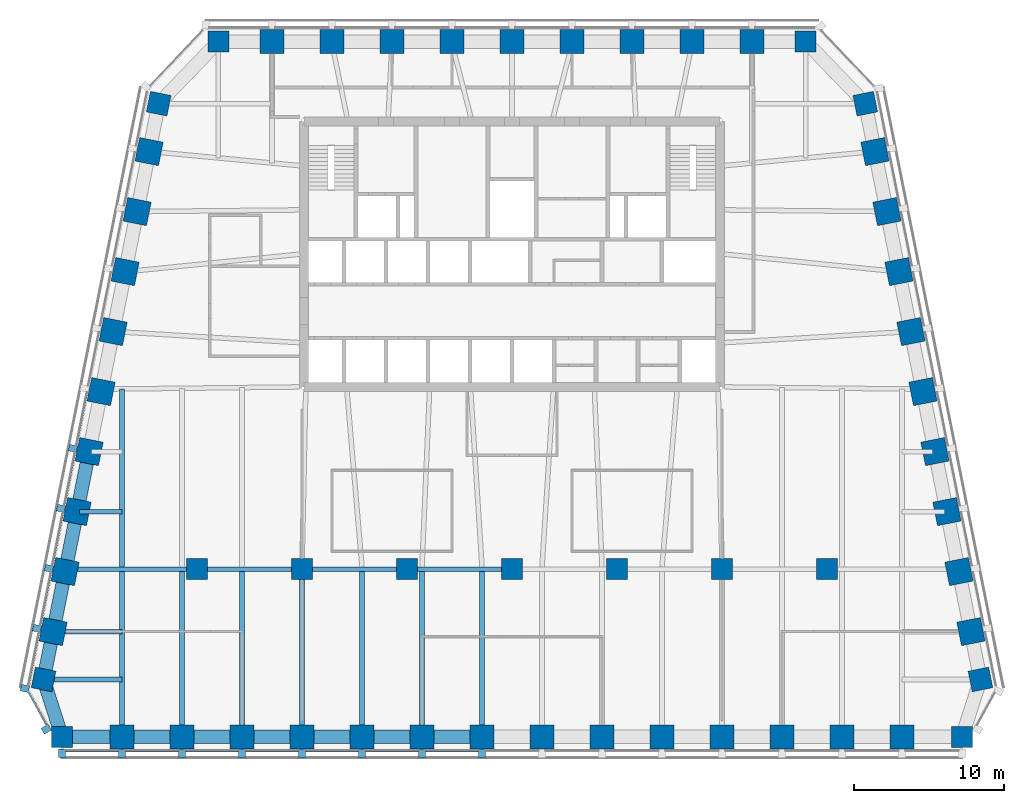
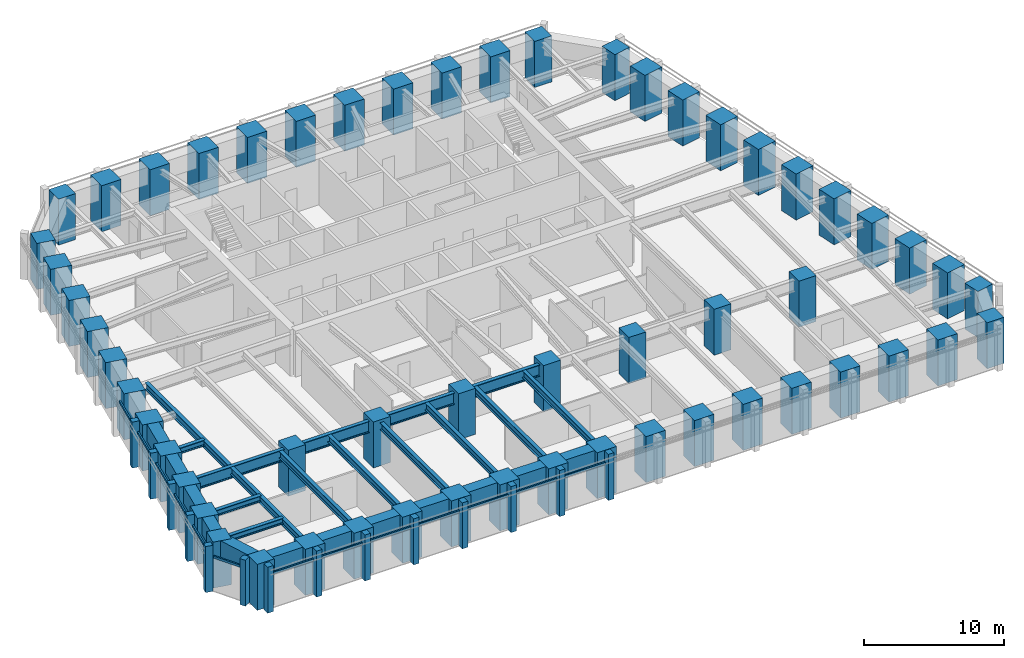
# One storey, part 1 of 10: 56 columns, 27 beams, 27 members, 3 elements without a shape of their own.
"""IFC4 building model written with IfcOpenShell, lengths in metres."""

from ifc_helpers import new_model, si_unit, direction, frame, origin, origin_2d, place, context, subcontext, project, spatial, rectangle, i_section, extrude, material, material_profile, profile_set, type_object, element, aggregate, save


model = new_model("IFC4")

# Units and contexts
model_context = context("Model", 3, precision=1e-05, world=origin(), true_north=direction((0.0, 1.0)))
body_context = subcontext(model_context, "Body", "Model", "MODEL_VIEW")
ifc_project = project(units=[si_unit("LENGTHUNIT", "METRE"), si_unit("AREAUNIT", "SQUARE_METRE"), si_unit("VOLUMEUNIT", "CUBIC_METRE"), si_unit("PLANEANGLEUNIT", "RADIAN"), si_unit("MASSUNIT", "GRAM", prefix="KILO")], contexts=[model_context])

# Site, building, storey
site_placement = place(None, origin())
site = spatial("IfcSite", under=ifc_project, at=site_placement, CompositionType="ELEMENT")
building_placement = place(site_placement, origin())
building = spatial("IfcBuilding", under=site, at=building_placement, Name="Isbrekke Arena Tower", CompositionType="ELEMENT")
storey_placement = place(building_placement, frame((0.0, 0.0, 238.0)))
storey = spatial("IfcBuildingStorey", under=building, at=storey_placement, Name="L55", CompositionType="ELEMENT", Elevation=238.0)

# Columns
ifc_material_1 = material(Name="Concrete B65 (C65/80)", Category="concrete")
ifc_material_profile_1 = material_profile(ifc_material_1, rectangle(XDim=1.39990234375, YDim=1.39990234375, at=origin_2d()), Name="RC 1400x1400")
ifc_profile_set_1 = profile_set([ifc_material_profile_1], Name="Concrete B65 (C65/80)")
column_type_1 = type_object("IfcColumnType", Name="C13 RC 1400 x 1400", PredefinedType="COLUMN", material=ifc_profile_set_1)
for number, where, z_axis, x_axis, name in (
    (1, (-21.0, -6.0, 0.0), (0.0, 0.0, 1.0), (1.0, 0.0, 0.0), "C13 I01"),
    (2, (-14.0, -6.0, 0.0), (0.0, 0.0, 1.0), (1.0, 0.0, 0.0), "C13 I02"),
    (3, (-7.0, -6.0, 0.0), (0.0, 0.0, 1.0), (1.0, 0.0, 0.0), "C13 I03"),
    (4, (0.0, -6.0, 0.0), (0.0, 0.0, 1.0), (1.0, 0.0, 0.0), "C13 I04"),
    (5, (7.0, -6.0, 0.0), (0.0, 0.0, 1.0), (1.0, 0.0, 0.0), "C13 I05"),
    (6, (14.0, -6.0, 0.0), (0.0, 0.0, 1.0), (1.0, 0.0, 0.0), "C13 I06"),
    (7, (21.0, -6.0, 0.0), (0.0, 0.0, 1.0), (1.0, 0.0, 0.0), "C13 I07"),
):
    element("IfcColumn", number, at=place(storey_placement, frame(where, z_axis=z_axis, x_axis=x_axis)), inside=storey, type_object=column_type_1, Name=name, PredefinedType="COLUMN", context=body_context, shape_type="SweptSolid", body=[
        extrude(rectangle(XDim=1.39990234375, YDim=1.39990234375, at=origin_2d()), origin(), (0.0, 0.0, 1.0), 4.0),
    ])
ifc_material_2 = material(Name="Concrete B65 (C65/80)", Category="concrete")
ifc_material_profile_2 = material_profile(ifc_material_2, rectangle(XDim=1.60009765625, YDim=1.60009765625, at=origin_2d()), Name="RC 1600x1600")
ifc_profile_set_2 = profile_set([ifc_material_profile_2], Name="Concrete B65 (C65/80)")
column_type_2 = type_object("IfcColumnType", Name="C4 RC 1600 x 1600", PredefinedType="COLUMN", material=ifc_profile_set_2)
for number, where, z_axis, x_axis, name in (
    (8, (-26.0, -17.175048828125, 0.0), (0.0, 0.0, 1.0), (1.0, 0.0, 0.0), "C4 S02"),
    (9, (-22.0, -17.175048828125, 0.0), (0.0, 0.0, 1.0), (1.0, 0.0, 0.0), "C4 S03"),
    (10, (-18.0, -17.175048828125, 0.0), (0.0, 0.0, 1.0), (1.0, 0.0, 0.0), "C4 S04"),
    (11, (-14.0, -17.175048828125, 0.0), (0.0, 0.0, 1.0), (1.0, 0.0, 0.0), "C4 S05"),
    (12, (-10.0, -17.175048828125, 0.0), (0.0, 0.0, 1.0), (1.0, 0.0, 0.0), "C4 S06"),
    (13, (-6.0, -17.175048828125, 0.0), (0.0, 0.0, 1.0), (1.0, 0.0, 0.0), "C4 S07"),
    (14, (-2.0, -17.175048828125, 0.0), (0.0, 0.0, 1.0), (1.0, 0.0, 0.0), "C4 S08"),
    (15, (2.0, -17.175048828125, 0.0), (0.0, 0.0, 1.0), (1.0, 0.0, 0.0), "C4 S09"),
    (16, (6.0, -17.175048828125, 0.0), (0.0, 0.0, 1.0), (1.0, 0.0, 0.0), "C4 S10"),
    (17, (10.0, -17.175048828125, 0.0), (0.0, 0.0, 1.0), (1.0, 0.0, 0.0), "C4 S11"),
    (18, (14.0, -17.175048828125, 0.0), (0.0, 0.0, 1.0), (1.0, 0.0, 0.0), "C4 S12"),
    (19, (18.0, -17.175048828125, 0.0), (0.0, 0.0, 1.0), (1.0, 0.0, 0.0), "C4 S13"),
    (20, (22.0, -17.175048828125, 0.0), (0.0, 0.0, 1.0), (1.0, 0.0, 0.0), "C4 S14"),
    (21, (26.0, -17.175048828125, 0.0), (0.0, 0.0, 1.0), (1.0, 0.0, 0.0), "C4 S15"),
    (22, (30.591064453125, -10.161865234375, 0.0), (0.0, 0.0, 1.0), (-0.196116135138, 0.980580675691, 0.0), "C4 E02"),
    (23, (29.791015625, -6.161865234375, 0.0), (0.0, 0.0, 1.0), (-0.196116135138, 0.980580675691, 0.0), "C4 E03"),
    (24, (28.990966796875, -2.161865234375, 0.0), (0.0, 0.0, 1.0), (-0.196116135138, 0.980580675691, 0.0), "C4 E04"),
    (25, (28.19091796875, 1.838134765625, 0.0), (0.0, 0.0, 1.0), (-0.196116135138, 0.980580675691, 0.0), "C4 E05"),
    (26, (27.39111328125, 5.838134765625, 0.0), (0.0, 0.0, 1.0), (-0.196116135138, 0.980580675691, 0.0), "C4 E06"),
    (27, (26.591064453125, 9.838134765625, 0.0), (0.0, 0.0, 1.0), (-0.196116135138, 0.980580675691, 0.0), "C4 E07"),
    (28, (25.791015625, 13.838134765625, 0.0), (0.0, 0.0, 1.0), (-0.196116135138, 0.980580675691, 0.0), "C4 E08"),
    (29, (24.990966796875, 17.838134765625, 0.0), (0.0, 0.0, 1.0), (-0.196116135138, 0.980580675691, 0.0), "C4 E09"),
    (30, (24.19091796875, 21.838134765625, 0.0), (0.0, 0.0, 1.0), (-0.196116135138, 0.980580675691, 0.0), "C4 E10"),
    (31, (16.0, 29.175048828125, 0.0), (0.0, 0.0, 1.0), (-1.0, 0.0, 0.0), "C4 N02"),
    (32, (12.0, 29.175048828125, 0.0), (0.0, 0.0, 1.0), (-1.0, 0.0, 0.0), "C4 N03"),
    (33, (8.0, 29.175048828125, 0.0), (0.0, 0.0, 1.0), (-1.0, 0.0, 0.0), "C4 N04"),
    (34, (4.0, 29.175048828125, 0.0), (0.0, 0.0, 1.0), (-1.0, 0.0, 0.0), "C4 N05"),
    (35, (0.0, 29.175048828125, 0.0), (0.0, 0.0, 1.0), (-1.0, 0.0, 0.0), "C4 N06"),
    (36, (-4.0, 29.175048828125, 0.0), (0.0, 0.0, 1.0), (-1.0, 0.0, 0.0), "C4 N07"),
    (37, (-8.0, 29.175048828125, 0.0), (0.0, 0.0, 1.0), (-1.0, 0.0, 0.0), "C4 N08"),
    (38, (-12.0, 29.175048828125, 0.0), (0.0, 0.0, 1.0), (-1.0, 0.0, 0.0), "C4 N09"),
    (39, (-16.0, 29.175048828125, 0.0), (0.0, 0.0, 1.0), (-1.0, 0.0, 0.0), "C4 N10"),
    (40, (-24.19091796875, 21.838134765625, 0.0), (0.0, 0.0, 1.0), (-0.196116135138, -0.980580675691, 0.0), "C4 W02"),
    (41, (-24.990966796875, 17.838134765625, 0.0), (0.0, 0.0, 1.0), (-0.196116135138, -0.980580675691, 0.0), "C4 W03"),
    (42, (-25.791015625, 13.838134765625, 0.0), (0.0, 0.0, 1.0), (-0.196116135138, -0.980580675691, 0.0), "C4 W04"),
    (43, (-26.591064453125, 9.838134765625, 0.0), (0.0, 0.0, 1.0), (-0.196116135138, -0.980580675691, 0.0), "C4 W05"),
    (44, (-27.39111328125, 5.838134765625, 0.0), (0.0, 0.0, 1.0), (-0.196116135138, -0.980580675691, 0.0), "C4 W06"),
    (45, (-28.19091796875, 1.838134765625, 0.0), (0.0, 0.0, 1.0), (-0.196116135138, -0.980580675691, 0.0), "C4 W07"),
    (46, (-28.990966796875, -2.161865234375, 0.0), (0.0, 0.0, 1.0), (-0.196116135138, -0.980580675691, 0.0), "C4 W08"),
    (47, (-29.791015625, -6.161865234375, 0.0), (0.0, 0.0, 1.0), (-0.196116135138, -0.980580675691, 0.0), "C4 W09"),
    (48, (-30.591064453125, -10.161865234375, 0.0), (0.0, 0.0, 1.0), (-0.196116135138, -0.980580675691, 0.0), "C4 W10"),
):
    element("IfcColumn", number, at=place(storey_placement, frame(where, z_axis=z_axis, x_axis=x_axis)), inside=storey, type_object=column_type_2, Name=name, PredefinedType="COLUMN", context=body_context, shape_type="SweptSolid", body=[
        extrude(rectangle(XDim=1.60009765625, YDim=1.60009765625, at=origin_2d()), origin(), (0.0, 0.0, 1.0), 4.0),
    ])
ifc_material_3 = material(Name="Concrete B65 (C65/80)", Category="concrete")
ifc_material_profile_3 = material_profile(ifc_material_3, rectangle(XDim=1.39990234375, YDim=1.39990234375, at=origin_2d()), Name="RC 1400x1400")
ifc_profile_set_3 = profile_set([ifc_material_profile_3], Name="Concrete B65 (C65/80)")
column_type_3 = type_object("IfcColumnType", Name="C8 RC 1400 x 1400", PredefinedType="COLUMN", material=ifc_profile_set_3)
for number, where, z_axis, x_axis, name in (
    (49, (-30.0, -17.175048828125, 0.0), (0.0, 0.0, 1.0), (1.0, 0.0, 0.0), "C8 S01"),
    (50, (30.0, -17.175048828125, 0.0), (0.0, 0.0, 1.0), (1.0, 0.0, 0.0), "C8 S16"),
    (51, (31.229248046875, -13.352783203125, 0.0), (0.0, 0.0, 1.0), (-0.196116135138, 0.980580675691, 0.0), "C8 E01"),
    (52, (23.552734375, 25.029296875, 0.0), (0.0, 0.0, 1.0), (-0.196116135138, 0.980580675691, 0.0), "C8 E11"),
    (53, (19.574951171875, 29.175048828125, 0.0), (0.0, 0.0, 1.0), (-1.0, 0.0, 0.0), "C8 N01"),
    (54, (-19.574951171875, 29.175048828125, 0.0), (0.0, 0.0, 1.0), (-1.0, 0.0, 0.0), "C8 N11"),
    (55, (-23.552734375, 25.029296875, 0.0), (0.0, 0.0, 1.0), (-0.196116135138, -0.980580675691, 0.0), "C8 W01"),
    (56, (-31.229248046875, -13.352783203125, 0.0), (0.0, 0.0, 1.0), (-0.196116135138, -0.980580675691, 0.0), "C8 W11"),
):
    element("IfcColumn", number, at=place(storey_placement, frame(where, z_axis=z_axis, x_axis=x_axis)), inside=storey, type_object=column_type_3, Name=name, PredefinedType="COLUMN", context=body_context, shape_type="SweptSolid", body=[
        extrude(rectangle(XDim=1.39990234375, YDim=1.39990234375, at=origin_2d()), origin(), (0.0, 0.0, 1.0), 4.0),
    ])

# Beams
ifc_material_4 = material(Name="Steel S355", Category="steel")
ifc_material_profile_4 = material_profile(ifc_material_4, i_section(OverallWidth=0.304931640625, OverallDepth=0.6201171875, WebThickness=0.02099609375, FlangeThickness=0.0400390625, FilletRadius=0.027099609375, at=origin_2d()), Name="HEM 600")
ifc_profile_set_4 = profile_set([ifc_material_profile_4], Name="Steel S355")
beam_type_1 = type_object("IfcBeamType", Name="B4 HEM 600", PredefinedType="BEAM", material=ifc_profile_set_4)
for number, where, z_axis, x_axis, name in (
    (57, (-26.0, -17.02490234375, 3.43994140625), (0.0, 1.0, 0.0), (-1.0, 0.0, 0.0), "B4 beam S-S02 L55"),
    (58, (-22.0, -17.02490234375, 3.43994140625), (0.0, 1.0, 0.0), (-1.0, 0.0, 0.0), "B4 beam S-S03 L55"),
    (59, (-18.0, -17.02490234375, 3.43994140625), (0.0, 1.0, 0.0), (-1.0, 0.0, 0.0), "B4 beam S-S04 L55"),
):
    element("IfcBeam", number, at=place(storey_placement, frame(where, z_axis=z_axis, x_axis=x_axis)), inside=storey, type_object=beam_type_1, Name=name, PredefinedType="BEAM", context=body_context, shape_type="SweptSolid", body=[
        extrude(i_section(OverallWidth=0.304931640625, OverallDepth=0.6201171875, WebThickness=0.02099609375, FlangeThickness=0.0400390625, FilletRadius=0.027099609375, at=origin_2d()), origin(), (0.0, 0.0, 1.0), 10.8740234375),
    ])
beam_1_placement = place(storey_placement, frame((-14.0, -17.02490234375, 3.43994140625), z_axis=(0.0, 1.0, 0.0), x_axis=(-1.0, 0.0, 0.0)))
element("IfcBeam", 60, at=beam_1_placement, inside=storey, type_object=beam_type_1, Name="B4 beam S-S05 L55", PredefinedType="BEAM", context=body_context, shape_type="SweptSolid", body=[
    extrude(i_section(OverallWidth=0.304931640625, OverallDepth=0.6201171875, WebThickness=0.02099609375, FlangeThickness=0.0400390625, FilletRadius=0.027099609375, at=origin_2d()), origin(), (0.0, 0.0, 1.0), 10.875),
])
for number, where, z_axis, x_axis, name in (
    (61, (-10.0, -17.02490234375, 3.43994140625), (0.0, 1.0, 0.0), (-1.0, 0.0, 0.0), "B4 beam S-S06 L55"),
    (62, (-6.0, -17.02490234375, 3.43994140625), (0.0, 1.0, 0.0), (-1.0, 0.0, 0.0), "B4 beam S-S07 L55"),
    (63, (-2.0, -17.02490234375, 3.43994140625), (0.0, 1.0, 0.0), (-1.0, 0.0, 0.0), "B4 beam S-S08 L55"),
):
    element("IfcBeam", number, at=place(storey_placement, frame(where, z_axis=z_axis, x_axis=x_axis)), inside=storey, type_object=beam_type_1, Name=name, PredefinedType="BEAM", context=body_context, shape_type="SweptSolid", body=[
        extrude(i_section(OverallWidth=0.304931640625, OverallDepth=0.6201171875, WebThickness=0.02099609375, FlangeThickness=0.0400390625, FilletRadius=0.027099609375, at=origin_2d()), origin(), (0.0, 0.0, 1.0), 10.8740234375),
    ])
beam_2_placement = place(storey_placement, frame((-26.0, -5.84912109375, 3.43994140625), z_axis=(0.0, 1.0, 0.0), x_axis=(-1.0, 0.0, 0.0)))
element("IfcBeam", 64, at=beam_2_placement, inside=storey, type_object=beam_type_1, Name="B4 beam C-M01 L55", PredefinedType="BEAM", context=body_context, shape_type="SweptSolid", body=[
    extrude(i_section(OverallWidth=0.304931640625, OverallDepth=0.6201171875, WebThickness=0.02099609375, FlangeThickness=0.0400390625, FilletRadius=0.027099609375, at=origin_2d()), origin(), (0.0, 0.0, 1.0), 11.864990234375),
])
ifc_material_5 = material(Name="Steel S355", Category="steel")
ifc_material_profile_5 = material_profile(ifc_material_5, i_section(OverallWidth=0.305908203125, OverallDepth=0.52392578125, WebThickness=0.02099609375, FlangeThickness=0.0400390625, FilletRadius=0.027099609375, at=origin_2d()), Name="HEM 500")
ifc_profile_set_5 = profile_set([ifc_material_profile_5], Name="Steel S355")
beam_type_2 = type_object("IfcBeamType", Name="B5 HEM 500", PredefinedType="BEAM", material=ifc_profile_set_5)
beam_3_placement = place(storey_placement, frame((-28.841064453125, -2.161865234375, 3.488037109375), z_axis=(1.0, 0.0, 0.0), x_axis=(0.0, 1.0, 0.0)))
element("IfcBeam", 65, at=beam_3_placement, inside=storey, type_object=beam_type_2, Name="B5 beam E-W08 L55", PredefinedType="BEAM", context=body_context, shape_type="SweptSolid", body=[
    extrude(i_section(OverallWidth=0.305908203125, OverallDepth=0.52392578125, WebThickness=0.02099609375, FlangeThickness=0.0400390625, FilletRadius=0.027099609375, at=origin_2d()), origin(), (0.0, 0.0, 1.0), 2.841064453125),
])
beam_4_placement = place(storey_placement, frame((-30.44091796875, -10.161865234375, 3.488037109375), z_axis=(1.0, 0.0, 0.0), x_axis=(0.0, 1.0, 0.0)))
element("IfcBeam", 66, at=beam_4_placement, inside=storey, type_object=beam_type_2, Name="B5 beam E-W10 L55", PredefinedType="BEAM", context=body_context, shape_type="SweptSolid", body=[
    extrude(i_section(OverallWidth=0.305908203125, OverallDepth=0.52392578125, WebThickness=0.02099609375, FlangeThickness=0.0400390625, FilletRadius=0.027099609375, at=origin_2d()), origin(), (0.0, 0.0, 1.0), 4.44091796875),
])
beam_5_placement = place(storey_placement, frame((-31.079345703125, -13.352783203125, 3.488037109375), z_axis=(1.0, 0.0, 0.0), x_axis=(0.0, 1.0, 0.0)))
element("IfcBeam", 67, at=beam_5_placement, inside=storey, type_object=beam_type_2, Name="B5 beam E-W11 L55", PredefinedType="BEAM", context=body_context, shape_type="SweptSolid", body=[
    extrude(i_section(OverallWidth=0.305908203125, OverallDepth=0.52392578125, WebThickness=0.02099609375, FlangeThickness=0.0400390625, FilletRadius=0.027099609375, at=origin_2d()), origin(), (0.0, 0.0, 1.0), 5.079345703125),
])

# Curtain wall, members
ifc_material_6 = material(Name="Glazed aluminium curtain wall", Category="aluminium")
curtain_wall_type = type_object("IfcCurtainWallType", Name="CWH TOWER CURTAIN WALL HIGH ZONE", PredefinedType="USERDEFINED", material=ifc_material_6)
curtain_wall_1_placement = place(storey_placement, origin())
curtain_wall_1 = element("IfcCurtainWall", 68, at=curtain_wall_1_placement, inside=storey, type_object=curtain_wall_type, Name="CWH curtain wall L55-S", ObjectType="TOWER CURTAIN WALL HIGH ZONE", PredefinedType="USERDEFINED")
ifc_material_7 = material(Name="Aluminium mullion, pale brick slip cladding", Category="masonry")
ifc_material_profile_6 = material_profile(ifc_material_7, rectangle(XDim=0.449951171875, YDim=0.550048828125, at=origin_2d()), Name="PIER 450X550")
ifc_profile_set_6 = profile_set([ifc_material_profile_6], Name="Aluminium mullion, pale brick slip cladding")
member_type_1 = type_object("IfcMemberType", Name="CWH-M PIER MULLION 450 x 550", PredefinedType="MULLION", material=ifc_profile_set_6)
member_1_placement = place(storey_placement, frame((-30.0, -18.27490234375, 0.0), z_axis=(0.0, 0.0, 1.0), x_axis=(1.0, 0.0, 0.0)))
member_1 = element("IfcMember", 69, at=member_1_placement, type_object=member_type_1, Name="CWH-M mullion 1", PredefinedType="MULLION", context=body_context, shape_type="SweptSolid", body=[
    extrude(rectangle(XDim=0.449951171875, YDim=0.550048828125, at=origin_2d()), origin(), (0.0, 0.0, 1.0), 4.0),
])
member_2_placement = place(storey_placement, frame((-26.0, -18.27490234375, 0.0), z_axis=(0.0, 0.0, 1.0), x_axis=(1.0, 0.0, 0.0)))
member_2 = element("IfcMember", 70, at=member_2_placement, type_object=member_type_1, Name="CWH-M mullion 2", PredefinedType="MULLION", context=body_context, shape_type="SweptSolid", body=[
    extrude(rectangle(XDim=0.449951171875, YDim=0.550048828125, at=origin_2d()), origin(), (0.0, 0.0, 1.0), 4.0),
])
member_3_placement = place(storey_placement, frame((-22.0, -18.27490234375, 0.0), z_axis=(0.0, 0.0, 1.0), x_axis=(1.0, 0.0, 0.0)))
member_3 = element("IfcMember", 71, at=member_3_placement, type_object=member_type_1, Name="CWH-M mullion 3", PredefinedType="MULLION", context=body_context, shape_type="SweptSolid", body=[
    extrude(rectangle(XDim=0.449951171875, YDim=0.550048828125, at=origin_2d()), origin(), (0.0, 0.0, 1.0), 4.0),
])
member_4_placement = place(storey_placement, frame((-18.0, -18.27490234375, 0.0), z_axis=(0.0, 0.0, 1.0), x_axis=(1.0, 0.0, 0.0)))
member_4 = element("IfcMember", 72, at=member_4_placement, type_object=member_type_1, Name="CWH-M mullion 4", PredefinedType="MULLION", context=body_context, shape_type="SweptSolid", body=[
    extrude(rectangle(XDim=0.449951171875, YDim=0.550048828125, at=origin_2d()), origin(), (0.0, 0.0, 1.0), 4.0),
])
member_5_placement = place(storey_placement, frame((-14.0, -18.27490234375, 0.0), z_axis=(0.0, 0.0, 1.0), x_axis=(1.0, 0.0, 0.0)))
member_5 = element("IfcMember", 73, at=member_5_placement, type_object=member_type_1, Name="CWH-M mullion 5", PredefinedType="MULLION", context=body_context, shape_type="SweptSolid", body=[
    extrude(rectangle(XDim=0.449951171875, YDim=0.550048828125, at=origin_2d()), origin(), (0.0, 0.0, 1.0), 4.0),
])
member_6_placement = place(storey_placement, frame((-10.0, -18.27490234375, 0.0), z_axis=(0.0, 0.0, 1.0), x_axis=(1.0, 0.0, 0.0)))
member_6 = element("IfcMember", 74, at=member_6_placement, type_object=member_type_1, Name="CWH-M mullion 6", PredefinedType="MULLION", context=body_context, shape_type="SweptSolid", body=[
    extrude(rectangle(XDim=0.449951171875, YDim=0.550048828125, at=origin_2d()), origin(), (0.0, 0.0, 1.0), 4.0),
])
member_7_placement = place(storey_placement, frame((-6.0, -18.27490234375, 0.0), z_axis=(0.0, 0.0, 1.0), x_axis=(1.0, 0.0, 0.0)))
member_7 = element("IfcMember", 75, at=member_7_placement, type_object=member_type_1, Name="CWH-M mullion 7", PredefinedType="MULLION", context=body_context, shape_type="SweptSolid", body=[
    extrude(rectangle(XDim=0.449951171875, YDim=0.550048828125, at=origin_2d()), origin(), (0.0, 0.0, 1.0), 4.0),
])
member_8_placement = place(storey_placement, frame((-2.0, -18.27490234375, 0.0), z_axis=(0.0, 0.0, 1.0), x_axis=(1.0, 0.0, 0.0)))
member_8 = element("IfcMember", 76, at=member_8_placement, type_object=member_type_1, Name="CWH-M mullion 8", PredefinedType="MULLION", context=body_context, shape_type="SweptSolid", body=[
    extrude(rectangle(XDim=0.449951171875, YDim=0.550048828125, at=origin_2d()), origin(), (0.0, 0.0, 1.0), 4.0),
])

curtain_wall_2_placement = place(storey_placement, origin())
curtain_wall_2 = element("IfcCurtainWall", 77, at=curtain_wall_2_placement, inside=storey, type_object=curtain_wall_type, Name="CWH curtain wall L55-W", ObjectType="TOWER CURTAIN WALL HIGH ZONE", PredefinedType="USERDEFINED")
member_9_placement = place(storey_placement, frame((-29.269775390625, 2.053955078125, 0.0), z_axis=(0.0, 0.0, 1.0), x_axis=(-0.196116135138, -0.980580675691, 0.0)))
member_9 = element("IfcMember", 78, at=member_9_placement, type_object=member_type_1, Name="CWH-M mullion 6", PredefinedType="MULLION", context=body_context, shape_type="SweptSolid", body=[
    extrude(rectangle(XDim=0.449951171875, YDim=0.550048828125, at=origin_2d()), origin(), (0.0, 0.0, 1.0), 4.0),
])
member_10_placement = place(storey_placement, frame((-30.069580078125, -1.946044921875, 0.0), z_axis=(0.0, 0.0, 1.0), x_axis=(-0.196116135138, -0.980580675691, 0.0)))
member_10 = element("IfcMember", 79, at=member_10_placement, type_object=member_type_1, Name="CWH-M mullion 7", PredefinedType="MULLION", context=body_context, shape_type="SweptSolid", body=[
    extrude(rectangle(XDim=0.449951171875, YDim=0.550048828125, at=origin_2d()), origin(), (0.0, 0.0, 1.0), 4.0),
])
member_11_placement = place(storey_placement, frame((-30.86962890625, -5.946044921875, 0.0), z_axis=(0.0, 0.0, 1.0), x_axis=(-0.196116135138, -0.980580675691, 0.0)))
member_11 = element("IfcMember", 80, at=member_11_placement, type_object=member_type_1, Name="CWH-M mullion 8", PredefinedType="MULLION", context=body_context, shape_type="SweptSolid", body=[
    extrude(rectangle(XDim=0.449951171875, YDim=0.550048828125, at=origin_2d()), origin(), (0.0, 0.0, 1.0), 4.0),
])
member_12_placement = place(storey_placement, frame((-31.669677734375, -9.946044921875, 0.0), z_axis=(0.0, 0.0, 1.0), x_axis=(-0.196116135138, -0.980580675691, 0.0)))
member_12 = element("IfcMember", 81, at=member_12_placement, type_object=member_type_1, Name="CWH-M mullion 9", PredefinedType="MULLION", context=body_context, shape_type="SweptSolid", body=[
    extrude(rectangle(XDim=0.449951171875, YDim=0.550048828125, at=origin_2d()), origin(), (0.0, 0.0, 1.0), 4.0),
])
member_13_placement = place(storey_placement, frame((-32.4697265625, -13.946044921875, 0.0), z_axis=(0.0, 0.0, 1.0), x_axis=(-0.196116135138, -0.980580675691, 0.0)))
member_13 = element("IfcMember", 82, at=member_13_placement, type_object=member_type_1, Name="CWH-M mullion 10", PredefinedType="MULLION", context=body_context, shape_type="SweptSolid", body=[
    extrude(rectangle(XDim=0.449951171875, YDim=0.550048828125, at=origin_2d()), origin(), (0.0, 0.0, 1.0), 4.0),
])

# Curtain wall, member
curtain_wall_3_placement = place(storey_placement, origin())
curtain_wall_3 = element("IfcCurtainWall", 83, at=curtain_wall_3_placement, inside=storey, type_object=curtain_wall_type, Name="CWH curtain wall L55-WS", ObjectType="TOWER CURTAIN WALL HIGH ZONE", PredefinedType="USERDEFINED")
member_14_placement = place(storey_placement, frame((-31.04638671875, -16.66796875, 0.0), z_axis=(0.0, 0.0, 1.0), x_axis=(0.481918749773, -0.876215908676, 0.0)))
member_14 = element("IfcMember", 84, at=member_14_placement, type_object=member_type_1, Name="CWH-M mullion 1", PredefinedType="MULLION", context=body_context, shape_type="SweptSolid", body=[
    extrude(rectangle(XDim=0.449951171875, YDim=0.550048828125, at=origin_2d()), origin(), (0.0, 0.0, 1.0), 4.0),
])

# Member
ifc_material_8 = material(Name="Aluminium transom", Category="aluminium")
ifc_material_profile_7 = material_profile(ifc_material_8, rectangle(XDim=0.1201171875, YDim=0.199951171875, at=origin_2d()), Name="TRANSOM 120X200")
ifc_profile_set_7 = profile_set([ifc_material_profile_7], Name="Aluminium transom")
member_type_2 = type_object("IfcMemberType", Name="CWH-T TRANSOM 120 x 200", PredefinedType="USERDEFINED", material=ifc_profile_set_7)
member_15_placement = place(storey_placement, frame((-29.77490234375, -18.10009765625, 3.0), z_axis=(1.0, 0.0, 0.0), x_axis=(0.0, 1.0, 0.0)))
member_15 = element("IfcMember", 85, at=member_15_placement, type_object=member_type_2, Name="CWH-T transom 1", ObjectType="TRANSOM", PredefinedType="USERDEFINED", context=body_context, shape_type="SweptSolid", body=[
    extrude(rectangle(XDim=0.1201171875, YDim=0.199951171875, at=origin_2d()), origin(), (0.0, 0.0, 1.0), 3.5498046875),
])

member_16_placement = place(storey_placement, frame((-25.77490234375, -18.10009765625, 3.0), z_axis=(1.0, 0.0, 0.0), x_axis=(0.0, 1.0, 0.0)))
member_16 = element("IfcMember", 86, at=member_16_placement, type_object=member_type_2, Name="CWH-T transom 2", ObjectType="TRANSOM", PredefinedType="USERDEFINED", context=body_context, shape_type="SweptSolid", body=[
    extrude(rectangle(XDim=0.1201171875, YDim=0.199951171875, at=origin_2d()), origin(), (0.0, 0.0, 1.0), 3.5498046875),
])

member_17_placement = place(storey_placement, frame((-21.77490234375, -18.10009765625, 3.0), z_axis=(1.0, 0.0, 0.0), x_axis=(0.0, 1.0, 0.0)))
member_17 = element("IfcMember", 87, at=member_17_placement, type_object=member_type_2, Name="CWH-T transom 3", ObjectType="TRANSOM", PredefinedType="USERDEFINED", context=body_context, shape_type="SweptSolid", body=[
    extrude(rectangle(XDim=0.1201171875, YDim=0.199951171875, at=origin_2d()), origin(), (0.0, 0.0, 1.0), 3.5498046875),
])

member_18_placement = place(storey_placement, frame((-17.77490234375, -18.10009765625, 3.0), z_axis=(1.0, 0.0, 0.0), x_axis=(0.0, 1.0, 0.0)))
member_18 = element("IfcMember", 88, at=member_18_placement, type_object=member_type_2, Name="CWH-T transom 4", ObjectType="TRANSOM", PredefinedType="USERDEFINED", context=body_context, shape_type="SweptSolid", body=[
    extrude(rectangle(XDim=0.1201171875, YDim=0.199951171875, at=origin_2d()), origin(), (0.0, 0.0, 1.0), 3.5498046875),
])

member_19_placement = place(storey_placement, frame((-13.77490234375, -18.10009765625, 3.0), z_axis=(1.0, 0.0, 0.0), x_axis=(0.0, 1.0, 0.0)))
member_19 = element("IfcMember", 89, at=member_19_placement, type_object=member_type_2, Name="CWH-T transom 5", ObjectType="TRANSOM", PredefinedType="USERDEFINED", context=body_context, shape_type="SweptSolid", body=[
    extrude(rectangle(XDim=0.1201171875, YDim=0.199951171875, at=origin_2d()), origin(), (0.0, 0.0, 1.0), 3.5498046875),
])

member_20_placement = place(storey_placement, frame((-9.77490234375, -18.10009765625, 3.0), z_axis=(1.0, 0.0, 0.0), x_axis=(0.0, 1.0, 0.0)))
member_20 = element("IfcMember", 90, at=member_20_placement, type_object=member_type_2, Name="CWH-T transom 6", ObjectType="TRANSOM", PredefinedType="USERDEFINED", context=body_context, shape_type="SweptSolid", body=[
    extrude(rectangle(XDim=0.1201171875, YDim=0.199951171875, at=origin_2d()), origin(), (0.0, 0.0, 1.0), 3.5498046875),
])

member_21_placement = place(storey_placement, frame((-5.77490234375, -18.10009765625, 3.0), z_axis=(1.0, 0.0, 0.0), x_axis=(0.0, 1.0, 0.0)))
member_21 = element("IfcMember", 91, at=member_21_placement, type_object=member_type_2, Name="CWH-T transom 7", ObjectType="TRANSOM", PredefinedType="USERDEFINED", context=body_context, shape_type="SweptSolid", body=[
    extrude(rectangle(XDim=0.1201171875, YDim=0.199951171875, at=origin_2d()), origin(), (0.0, 0.0, 1.0), 3.5498046875),
])

aggregate(curtain_wall_1, [member_1, member_2, member_3, member_4, member_5, member_6, member_7, member_8, member_15, member_16, member_17, member_18, member_19, member_20, member_21])

member_22_placement = place(storey_placement, frame((-28.34228515625, 5.799072265625, 3.0), z_axis=(-0.196090262229, -0.980585849918, 0.0), x_axis=(0.980585849918, -0.196090262229, 0.0)))
member_22 = element("IfcMember", 92, at=member_22_placement, type_object=member_type_2, Name="CWH-T transom 6", ObjectType="TRANSOM", PredefinedType="USERDEFINED", context=body_context, shape_type="SweptSolid", body=[
    extrude(rectangle(XDim=0.1201171875, YDim=0.199951171875, at=origin_2d()), origin(), (0.0, 0.0, 1.0), 3.62939453125),
])

member_23_placement = place(storey_placement, frame((-29.14208984375, 1.799072265625, 3.0), z_axis=(-0.196154943734, -0.980572913173, 0.0), x_axis=(0.980572913173, -0.196154943734, 0.0)))
member_23 = element("IfcMember", 93, at=member_23_placement, type_object=member_type_2, Name="CWH-T transom 7", ObjectType="TRANSOM", PredefinedType="USERDEFINED", context=body_context, shape_type="SweptSolid", body=[
    extrude(rectangle(XDim=0.1201171875, YDim=0.199951171875, at=origin_2d()), origin(), (0.0, 0.0, 1.0), 3.62939453125),
])

member_24_placement = place(storey_placement, frame((-29.942138671875, -2.200927734375, 3.0), z_axis=(-0.196154943734, -0.980572913173, 0.0), x_axis=(0.980572913173, -0.196154943734, 0.0)))
member_24 = element("IfcMember", 94, at=member_24_placement, type_object=member_type_2, Name="CWH-T transom 8", ObjectType="TRANSOM", PredefinedType="USERDEFINED", context=body_context, shape_type="SweptSolid", body=[
    extrude(rectangle(XDim=0.1201171875, YDim=0.199951171875, at=origin_2d()), origin(), (0.0, 0.0, 1.0), 3.62939453125),
])

member_25_placement = place(storey_placement, frame((-30.7421875, -6.200927734375, 3.0), z_axis=(-0.196090262229, -0.980585849918, 0.0), x_axis=(0.980585849918, -0.196090262229, 0.0)))
member_25 = element("IfcMember", 95, at=member_25_placement, type_object=member_type_2, Name="CWH-T transom 9", ObjectType="TRANSOM", PredefinedType="USERDEFINED", context=body_context, shape_type="SweptSolid", body=[
    extrude(rectangle(XDim=0.1201171875, YDim=0.199951171875, at=origin_2d()), origin(), (0.0, 0.0, 1.0), 3.62939453125),
])

member_26_placement = place(storey_placement, frame((-31.542236328125, -10.200927734375, 3.0), z_axis=(-0.196090262229, -0.980585849918, 0.0), x_axis=(0.980585849918, -0.196090262229, 0.0)))
member_26 = element("IfcMember", 96, at=member_26_placement, type_object=member_type_2, Name="CWH-T transom 10", ObjectType="TRANSOM", PredefinedType="USERDEFINED", context=body_context, shape_type="SweptSolid", body=[
    extrude(rectangle(XDim=0.1201171875, YDim=0.199951171875, at=origin_2d()), origin(), (0.0, 0.0, 1.0), 3.62939453125),
])

aggregate(curtain_wall_2, [member_9, member_10, member_11, member_12, member_13, member_22, member_23, member_24, member_25, member_26])

member_27_placement = place(storey_placement, frame((-32.17919921875, -14.245361328125, 3.0), z_axis=(0.481957101782, -0.876194813978, 0.0), x_axis=(0.876194813978, 0.481957101782, 0.0)))
member_27 = element("IfcMember", 97, at=member_27_placement, type_object=member_type_2, Name="CWH-T transom 1", ObjectType="TRANSOM", PredefinedType="USERDEFINED", context=body_context, shape_type="SweptSolid", body=[
    extrude(rectangle(XDim=0.1201171875, YDim=0.199951171875, at=origin_2d()), origin(), (0.0, 0.0, 1.0), 2.443603515625),
])

aggregate(curtain_wall_3, [member_14, member_27])

# Beams
ifc_material_9 = material(Name="Steel S355", Category="steel")
ifc_material_profile_8 = material_profile(ifc_material_9, i_section(OverallWidth=0.302001953125, OverallDepth=1.008056640625, WebThickness=0.02099609375, FlangeThickness=0.0400390625, FilletRadius=0.030029296875, at=origin_2d()), Name="HEM 1000")
ifc_profile_set_8 = profile_set([ifc_material_profile_8], Name="Steel S355")
beam_type_3 = type_object("IfcBeamType", Name="G1 HEM 1000", PredefinedType="BEAM", material=ifc_profile_set_8)
beam_6_placement = place(storey_placement, frame((-29.791015625, -6.0, 3.24609375), z_axis=(1.0, 0.0, 0.0), x_axis=(0.0, 1.0, 0.0)))
element("IfcBeam", 98, at=beam_6_placement, inside=storey, type_object=beam_type_3, Name="G1 beam G1-01 L55", PredefinedType="BEAM", context=body_context, shape_type="SweptSolid", body=[
    extrude(i_section(OverallWidth=0.302001953125, OverallDepth=1.008056640625, WebThickness=0.02099609375, FlangeThickness=0.0400390625, FilletRadius=0.030029296875, at=origin_2d()), origin(), (0.0, 0.0, 1.0), 8.64111328125),
])
for number, where, z_axis, x_axis, name in (
    (99, (-20.85009765625, -6.0, 3.24609375), (1.0, 0.0, 0.0), (0.0, 1.0, 0.0), "G1 beam G1-02 L55"),
    (100, (-13.85009765625, -6.0, 3.24609375), (1.0, 0.0, 0.0), (0.0, 1.0, 0.0), "G1 beam G1-03 L55"),
    (101, (-6.85009765625, -6.0, 3.24609375), (1.0, 0.0, 0.0), (0.0, 1.0, 0.0), "G1 beam G1-04 L55"),
):
    element("IfcBeam", number, at=place(storey_placement, frame(where, z_axis=z_axis, x_axis=x_axis)), inside=storey, type_object=beam_type_3, Name=name, PredefinedType="BEAM", context=body_context, shape_type="SweptSolid", body=[
        extrude(i_section(OverallWidth=0.302001953125, OverallDepth=1.008056640625, WebThickness=0.02099609375, FlangeThickness=0.0400390625, FilletRadius=0.030029296875, at=origin_2d()), origin(), (0.0, 0.0, 1.0), 6.7001953125),
    ])
ifc_material_10 = material(Name="Concrete B65 (C65/80)", Category="concrete")
ifc_material_profile_9 = material_profile(ifc_material_10, rectangle(XDim=0.89990234375, YDim=1.5, at=origin_2d()), Name="RC 900x1500")
ifc_profile_set_9 = profile_set([ifc_material_profile_9], Name="Concrete B65 (C65/80)")
beam_type_4 = type_object("IfcBeamType", Name="SB3 RC 900 x 1500", PredefinedType="SPANDREL", material=ifc_profile_set_9)
for number, where, z_axis, x_axis, name in (
    (102, (-29.85009765625, -17.175048828125, 3.25), (1.0, 0.0, 0.0), (0.0, 1.0, 0.0), "SB3 spandrel S01-S02 L55"),
    (103, (-25.85009765625, -17.175048828125, 3.25), (1.0, 0.0, 0.0), (0.0, 1.0, 0.0), "SB3 spandrel S02-S03 L55"),
    (104, (-21.85009765625, -17.175048828125, 3.25), (1.0, 0.0, 0.0), (0.0, 1.0, 0.0), "SB3 spandrel S03-S04 L55"),
    (105, (-17.85009765625, -17.175048828125, 3.25), (1.0, 0.0, 0.0), (0.0, 1.0, 0.0), "SB3 spandrel S04-S05 L55"),
    (106, (-13.85009765625, -17.175048828125, 3.25), (1.0, 0.0, 0.0), (0.0, 1.0, 0.0), "SB3 spandrel S05-S06 L55"),
    (107, (-9.85009765625, -17.175048828125, 3.25), (1.0, 0.0, 0.0), (0.0, 1.0, 0.0), "SB3 spandrel S06-S07 L55"),
    (108, (-5.85009765625, -17.175048828125, 3.25), (1.0, 0.0, 0.0), (0.0, 1.0, 0.0), "SB3 spandrel S07-S08 L55"),
):
    element("IfcBeam", number, at=place(storey_placement, frame(where, z_axis=z_axis, x_axis=x_axis)), inside=storey, type_object=beam_type_4, Name=name, PredefinedType="SPANDREL", context=body_context, shape_type="SweptSolid", body=[
        extrude(rectangle(XDim=0.89990234375, YDim=1.5, at=origin_2d()), origin(), (0.0, 0.0, 1.0), 3.7001953125),
    ])
for number, where, z_axis, x_axis, name in (
    (109, (-28.220458984375, 1.691162109375, 3.25), (-0.196128558387, -0.980578190959, 0.0), (0.980578190959, -0.196128558387, 0.0), "SB3 spandrel W07-W08 L55"),
    (110, (-29.0205078125, -2.308837890625, 3.25), (-0.196128558387, -0.980578190959, 0.0), (0.980578190959, -0.196128558387, 0.0), "SB3 spandrel W08-W09 L55"),
):
    element("IfcBeam", number, at=place(storey_placement, frame(where, z_axis=z_axis, x_axis=x_axis)), inside=storey, type_object=beam_type_4, Name=name, PredefinedType="SPANDREL", context=body_context, shape_type="SweptSolid", body=[
        extrude(rectangle(XDim=0.89990234375, YDim=1.5, at=origin_2d()), origin(), (0.0, 0.0, 1.0), 3.779296875),
    ])
beam_7_placement = place(storey_placement, frame((-29.820556640625, -6.308837890625, 3.25), z_axis=(-0.1960664412, -0.980590613169, 0.0), x_axis=(0.980590613169, -0.1960664412, 0.0)))
element("IfcBeam", 111, at=beam_7_placement, inside=storey, type_object=beam_type_4, Name="SB3 spandrel W09-W10 L55", PredefinedType="SPANDREL", context=body_context, shape_type="SweptSolid", body=[
    extrude(rectangle(XDim=0.89990234375, YDim=1.5, at=origin_2d()), origin(), (0.0, 0.0, 1.0), 3.779052734375),
])
beam_8_placement = place(storey_placement, frame((-30.620361328125, -10.308837890625, 3.25), z_axis=(-0.196100243168, -0.980583853951, 0.0), x_axis=(0.980583853951, -0.196100243168, 0.0)))
element("IfcBeam", 112, at=beam_8_placement, inside=storey, type_object=beam_type_4, Name="SB3 spandrel W10-W11 L55", PredefinedType="SPANDREL", context=body_context, shape_type="SweptSolid", body=[
    extrude(rectangle(XDim=0.89990234375, YDim=1.5, at=origin_2d()), origin(), (0.0, 0.0, 1.0), 2.954345703125),
])
beam_9_placement = place(storey_placement, frame((-31.183349609375, -13.49560546875, 3.25), z_axis=(0.306175101476, -0.951975213562, 0.0), x_axis=(0.951975213562, 0.306175101476, 0.0)))
element("IfcBeam", 113, at=beam_9_placement, inside=storey, type_object=beam_type_4, Name="SB3 spandrel W11-S01 L55", PredefinedType="SPANDREL", context=body_context, shape_type="SweptSolid", body=[
    extrude(rectangle(XDim=0.89990234375, YDim=1.5, at=origin_2d()), origin(), (0.0, 0.0, 1.0), 3.715087890625),
])

save(model, "model.ifc")
